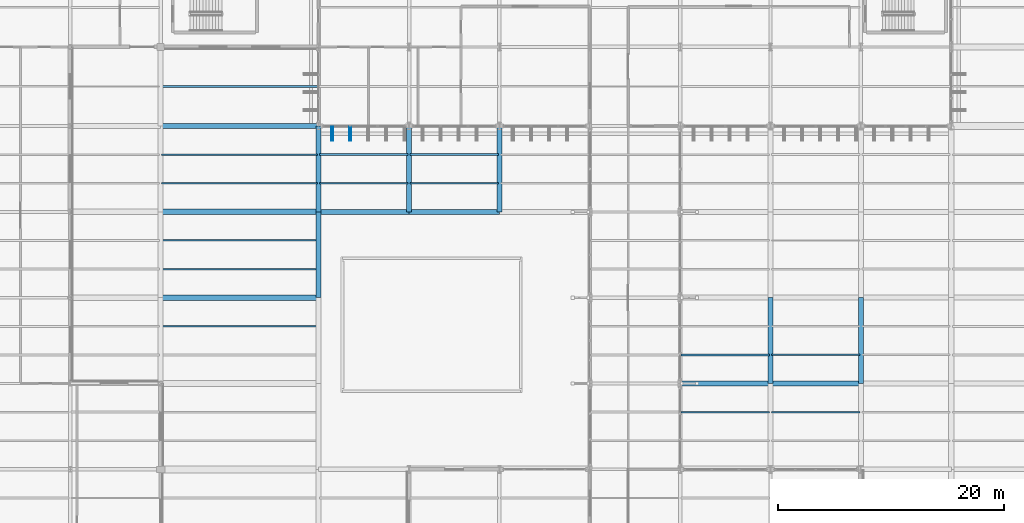
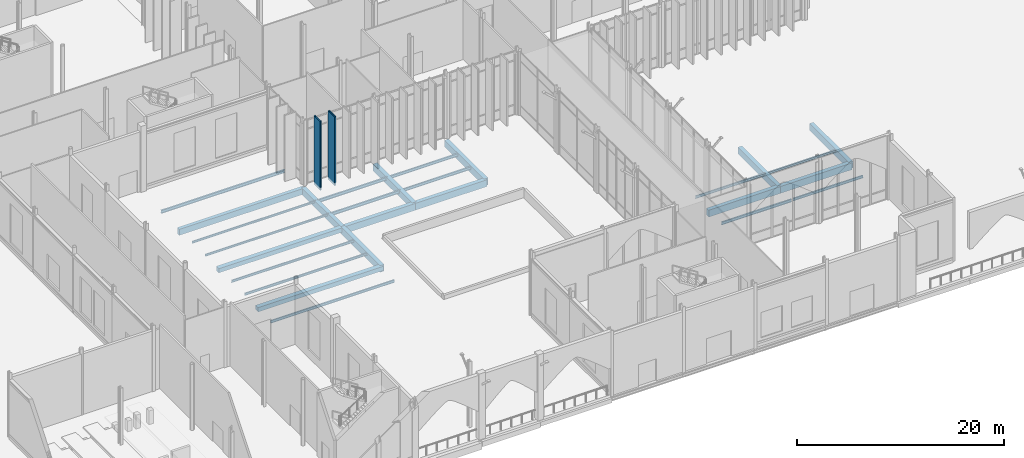
# One storey, part 38 of 176: 27 beams, 2 members.
"""IFC4 building model written with IfcOpenShell, lengths in metres."""

from ifc_helpers import new_model, si_unit, direction, frame, origin, origin_2d, place, context, subcontext, project, spatial, rectangle, hollow_rectangle, i_section, extrude, material, material_profile, profile_set, type_object, element, save


model = new_model("IFC4")

# Units and contexts
model_context = context("Model", 3, precision=1e-05, world=origin(), true_north=direction((0.0, 1.0)))
body_context = subcontext(model_context, "Body", "Model", "MODEL_VIEW")
ifc_project = project(units=[si_unit("LENGTHUNIT", "METRE"), si_unit("AREAUNIT", "SQUARE_METRE"), si_unit("VOLUMEUNIT", "CUBIC_METRE"), si_unit("PLANEANGLEUNIT", "RADIAN"), si_unit("MASSUNIT", "GRAM", prefix="KILO")], contexts=[model_context])

# Site, building, storey
site_placement = place(None, origin())
site = spatial("IfcSite", under=ifc_project, at=site_placement, CompositionType="ELEMENT")
building_placement = place(site_placement, origin())
building = spatial("IfcBuilding", under=site, at=building_placement, Name="Vekula Escarpment Museum", CompositionType="ELEMENT")
storey_placement = place(building_placement, origin())
storey = spatial("IfcBuildingStorey", under=building, at=storey_placement, Name="L01", CompositionType="ELEMENT", Elevation=0.0)

# Beams
ifc_material_1 = material(Name="Steel S355", Category="steel")
ifc_material_profile_1 = material_profile(ifc_material_1, i_section(OverallWidth=0.1201171875, OverallDepth=0.239990234375, WebThickness=0.006103515625, FlangeThickness=0.009765625, FilletRadius=0.014892578125, at=origin_2d()), Name="IPE 240")
ifc_profile_set_1 = profile_set([ifc_material_profile_1], Name="Steel S355")
beam_type_1 = type_object("IfcBeamType", Name="BM-JST-IPE240", PredefinedType="JOIST", material=ifc_profile_set_1)
for number, where, z_axis, x_axis, name in (
    (1, (56.090087890625, 40.533203125, -0.419921875), (1.0, 0.0, 0.0), (0.0, 1.0, 0.0), "Secondary Joist L01 0211"),
    (2, (56.090087890625, 43.066650390625, -0.419921875), (1.0, 0.0, 0.0), (0.0, 1.0, 0.0), "Secondary Joist L01 0212"),
):
    element("IfcBeam", number, at=place(storey_placement, frame(where, z_axis=z_axis, x_axis=x_axis)), inside=storey, type_object=beam_type_1, Name=name, PredefinedType="JOIST", context=body_context, shape_type="SweptSolid", body=[
        extrude(i_section(OverallWidth=0.1201171875, OverallDepth=0.239990234375, WebThickness=0.006103515625, FlangeThickness=0.009765625, FilletRadius=0.014892578125, at=origin_2d()), origin(), (0.0, 0.0, 1.0), 13.81982421875),
    ])
ifc_material_2 = material(Name="Steel S355", Category="steel")
ifc_material_profile_2 = material_profile(ifc_material_2, i_section(OverallWidth=0.135009765625, OverallDepth=0.27001953125, WebThickness=0.006591796875, FlangeThickness=0.01025390625, FilletRadius=0.014892578125, at=origin_2d()), Name="IPE 270")
ifc_profile_set_2 = profile_set([ifc_material_profile_2], Name="Steel S355")
beam_type_2 = type_object("IfcBeamType", Name="BM-JST-IPE270", PredefinedType="JOIST", material=ifc_profile_set_2)
for number, where, z_axis, x_axis, name in (
    (3, (56.090087890625, 32.933349609375, -0.43505859375), (1.0, 0.0, 0.0), (0.0, 1.0, 0.0), "Secondary Joist L01 0209"),
    (4, (56.090087890625, 35.466796875, -0.43505859375), (1.0, 0.0, 0.0), (0.0, 1.0, 0.0), "Secondary Joist L01 0210"),
):
    element("IfcBeam", number, at=place(storey_placement, frame(where, z_axis=z_axis, x_axis=x_axis)), inside=storey, type_object=beam_type_2, Name=name, PredefinedType="JOIST", context=body_context, shape_type="SweptSolid", body=[
        extrude(i_section(OverallWidth=0.135009765625, OverallDepth=0.27001953125, WebThickness=0.006591796875, FlangeThickness=0.01025390625, FilletRadius=0.014892578125, at=origin_2d()), origin(), (0.0, 0.0, 1.0), 13.81982421875),
    ])
beam_1_placement = place(storey_placement, frame((110.090087890625, 25.333251953125, -0.43505859375), z_axis=(1.0, 0.0, 0.0), x_axis=(0.0, 1.0, 0.0)))
element("IfcBeam", 5, at=beam_1_placement, inside=storey, type_object=beam_type_2, Name="Secondary Joist L01 0357", PredefinedType="JOIST", context=body_context, shape_type="SweptSolid", body=[
    extrude(i_section(OverallWidth=0.135009765625, OverallDepth=0.27001953125, WebThickness=0.006591796875, FlangeThickness=0.01025390625, FilletRadius=0.014892578125, at=origin_2d()), origin(), (0.0, 0.0, 1.0), 7.81982421875),
])
ifc_material_3 = material(Name="Steel S355", Category="steel")
ifc_material_profile_3 = material_profile(ifc_material_3, i_section(OverallWidth=0.14990234375, OverallDepth=0.300048828125, WebThickness=0.007080078125, FlangeThickness=0.0107421875, FilletRadius=0.014892578125, at=origin_2d()), Name="IPE 300")
ifc_profile_set_3 = profile_set([ifc_material_profile_3], Name="Steel S355")
beam_type_3 = type_object("IfcBeamType", Name="BM-JST-IPE300", PredefinedType="JOIST", material=ifc_profile_set_3)
beam_2_placement = place(storey_placement, frame((56.090087890625, 27.86669921875, -0.60009765625), z_axis=(1.0, 0.0, 0.0), x_axis=(0.0, 1.0, 0.0)))
element("IfcBeam", 6, at=beam_2_placement, inside=storey, type_object=beam_type_3, Name="Secondary Joist L01 0208", PredefinedType="JOIST", context=body_context, shape_type="SweptSolid", body=[
    extrude(i_section(OverallWidth=0.14990234375, OverallDepth=0.300048828125, WebThickness=0.007080078125, FlangeThickness=0.0107421875, FilletRadius=0.014892578125, at=origin_2d()), origin(), (0.0, 0.0, 1.0), 13.81982421875),
])
for number, where, z_axis, x_axis, name in (
    (7, (102.090087890625, 25.333251953125, -0.449951171875), (1.0, 0.0, 0.0), (0.0, 1.0, 0.0), "Secondary Joist L01 0326"),
    (8, (110.090087890625, 20.2666015625, -0.449951171875), (1.0, 0.0, 0.0), (0.0, 1.0, 0.0), "Secondary Joist L01 0356"),
):
    element("IfcBeam", number, at=place(storey_placement, frame(where, z_axis=z_axis, x_axis=x_axis)), inside=storey, type_object=beam_type_3, Name=name, PredefinedType="JOIST", context=body_context, shape_type="SweptSolid", body=[
        extrude(i_section(OverallWidth=0.14990234375, OverallDepth=0.300048828125, WebThickness=0.007080078125, FlangeThickness=0.0107421875, FilletRadius=0.014892578125, at=origin_2d()), origin(), (0.0, 0.0, 1.0), 7.81982421875),
    ])
ifc_material_4 = material(Name="Steel S355", Category="steel")
ifc_material_profile_4 = material_profile(ifc_material_4, i_section(OverallWidth=0.159912109375, OverallDepth=0.330078125, WebThickness=0.007568359375, FlangeThickness=0.011474609375, FilletRadius=0.01806640625, at=origin_2d()), Name="IPE 330")
ifc_profile_set_4 = profile_set([ifc_material_profile_4], Name="Steel S355")
beam_type_4 = type_object("IfcBeamType", Name="BM-JST-IPE330", PredefinedType="JOIST", material=ifc_profile_set_4)
for number, where, z_axis, x_axis, name in (
    (9, (78.090087890625, 40.533203125, -0.465087890625), (1.0, 0.0, 0.0), (0.0, 1.0, 0.0), "Secondary Joist L01 0255"),
    (10, (78.090087890625, 43.066650390625, -0.465087890625), (1.0, 0.0, 0.0), (0.0, 1.0, 0.0), "Secondary Joist L01 0256"),
    (11, (102.090087890625, 20.2666015625, -0.465087890625), (1.0, 0.0, 0.0), (0.0, 1.0, 0.0), "Secondary Joist L01 0325"),
):
    element("IfcBeam", number, at=place(storey_placement, frame(where, z_axis=z_axis, x_axis=x_axis)), inside=storey, type_object=beam_type_4, Name=name, PredefinedType="JOIST", context=body_context, shape_type="SweptSolid", body=[
        extrude(i_section(OverallWidth=0.159912109375, OverallDepth=0.330078125, WebThickness=0.007568359375, FlangeThickness=0.011474609375, FilletRadius=0.01806640625, at=origin_2d()), origin(), (0.0, 0.0, 1.0), 7.81982421875),
    ])
ifc_material_5 = material(Name="Steel S355", Category="steel")
ifc_material_profile_5 = material_profile(ifc_material_5, i_section(OverallWidth=0.169921875, OverallDepth=0.360107421875, WebThickness=0.008056640625, FlangeThickness=0.0126953125, FilletRadius=0.01806640625, at=origin_2d()), Name="IPE 360")
ifc_profile_set_5 = profile_set([ifc_material_profile_5], Name="Steel S355")
beam_type_5 = type_object("IfcBeamType", Name="BM-JST-IPE360", PredefinedType="JOIST", material=ifc_profile_set_5)
beam_3_placement = place(storey_placement, frame((56.090087890625, 49.10009765625, -0.47998046875), z_axis=(1.0, 0.0, 0.0), x_axis=(0.0, 1.0, 0.0)))
element("IfcBeam", 12, at=beam_3_placement, inside=storey, type_object=beam_type_5, Name="Secondary Joist L01 0213", PredefinedType="JOIST", context=body_context, shape_type="SweptSolid", body=[
    extrude(i_section(OverallWidth=0.169921875, OverallDepth=0.360107421875, WebThickness=0.008056640625, FlangeThickness=0.0126953125, FilletRadius=0.01806640625, at=origin_2d()), origin(), (0.0, 0.0, 1.0), 13.81982421875),
])
for number, where, z_axis, x_axis, name in (
    (13, (70.090087890625, 40.533203125, -0.47998046875), (1.0, 0.0, 0.0), (0.0, 1.0, 0.0), "Secondary Joist L01 0236"),
    (14, (70.090087890625, 43.066650390625, -0.47998046875), (1.0, 0.0, 0.0), (0.0, 1.0, 0.0), "Secondary Joist L01 0237"),
):
    element("IfcBeam", number, at=place(storey_placement, frame(where, z_axis=z_axis, x_axis=x_axis)), inside=storey, type_object=beam_type_5, Name=name, PredefinedType="JOIST", context=body_context, shape_type="SweptSolid", body=[
        extrude(i_section(OverallWidth=0.169921875, OverallDepth=0.360107421875, WebThickness=0.008056640625, FlangeThickness=0.0126953125, FilletRadius=0.01806640625, at=origin_2d()), origin(), (0.0, 0.0, 1.0), 7.81982421875),
    ])
ifc_material_6 = material(Name="Concrete C35/45", Category="concrete")
ifc_material_profile_6 = material_profile(ifc_material_6, rectangle(XDim=0.449951171875, YDim=0.800048828125, at=origin_2d()), Name="RC 450x800")
ifc_profile_set_6 = profile_set([ifc_material_profile_6], Name="Concrete C35/45")
beam_type_6 = type_object("IfcBeamType", Name="BM-PLINTH-RC", PredefinedType="BEAM", material=ifc_profile_set_6)
for number, where, z_axis, x_axis, name in (
    (15, (102.0, 22.800048828125, -0.699951171875), (1.0, 0.0, 0.0), (0.0, 1.0, 0.0), "Beam X L01 0075"),
    (16, (110.0, 22.800048828125, -0.699951171875), (1.0, 0.0, 0.0), (0.0, 1.0, 0.0), "Beam X L01 0076"),
    (17, (70.0, 38.0, -0.699951171875), (1.0, 0.0, 0.0), (0.0, 1.0, 0.0), "Beam X L01 0106"),
    (18, (78.0, 38.0, -0.699951171875), (1.0, 0.0, 0.0), (0.0, 1.0, 0.0), "Beam X L01 0107"),
):
    element("IfcBeam", number, at=place(storey_placement, frame(where, z_axis=z_axis, x_axis=x_axis)), inside=storey, type_object=beam_type_6, Name=name, PredefinedType="BEAM", context=body_context, shape_type="SweptSolid", body=[
        extrude(rectangle(XDim=0.449951171875, YDim=0.800048828125, at=origin_2d()), origin(), (0.0, 0.0, 1.0), 8.0),
    ])
for number, where, z_axis, x_axis, name in (
    (19, (70.0, 30.39990234375, -0.699951171875), (0.0, 1.0, 0.0), (-1.0, 0.0, 0.0), "Beam Y L01 0538"),
    (20, (70.0, 38.0, -0.699951171875), (0.0, 1.0, 0.0), (-1.0, 0.0, 0.0), "Beam Y L01 0539"),
    (21, (78.0, 38.0, -0.699951171875), (0.0, 1.0, 0.0), (-1.0, 0.0, 0.0), "Beam Y L01 0554"),
    (22, (86.0, 38.0, -0.699951171875), (0.0, 1.0, 0.0), (-1.0, 0.0, 0.0), "Beam Y L01 0566"),
):
    element("IfcBeam", number, at=place(storey_placement, frame(where, z_axis=z_axis, x_axis=x_axis)), inside=storey, type_object=beam_type_6, Name=name, PredefinedType="BEAM", context=body_context, shape_type="SweptSolid", body=[
        extrude(rectangle(XDim=0.449951171875, YDim=0.800048828125, at=origin_2d()), origin(), (0.0, 0.0, 1.0), 7.60009765625),
    ])
for number, where, z_axis, x_axis, name in (
    (23, (110.0, 22.800048828125, -0.699951171875), (0.0, 1.0, 0.0), (-1.0, 0.0, 0.0), "Beam Y L01 0615"),
    (24, (118.0, 22.800048828125, -0.699951171875), (0.0, 1.0, 0.0), (-1.0, 0.0, 0.0), "Beam Y L01 0633"),
):
    element("IfcBeam", number, at=place(storey_placement, frame(where, z_axis=z_axis, x_axis=x_axis)), inside=storey, type_object=beam_type_6, Name=name, PredefinedType="BEAM", context=body_context, shape_type="SweptSolid", body=[
        extrude(rectangle(XDim=0.449951171875, YDim=0.800048828125, at=origin_2d()), origin(), (0.0, 0.0, 1.0), 7.599853515625),
    ])
ifc_material_7 = material(Name="Concrete C35/45", Category="concrete")
ifc_material_profile_7 = material_profile(ifc_material_7, rectangle(XDim=0.39990234375, YDim=0.699951171875, at=origin_2d()), Name="RC 400x700")
ifc_profile_set_7 = profile_set([ifc_material_profile_7], Name="Concrete C35/45")
beam_type_7 = type_object("IfcBeamType", Name="BM-PLINTH-RC2", PredefinedType="BEAM", material=ifc_profile_set_7)
beam_4_placement = place(storey_placement, frame((56.0, 45.60009765625, -0.64990234375), z_axis=(1.0, 0.0, 0.0), x_axis=(0.0, 1.0, 0.0)))
element("IfcBeam", 25, at=beam_4_placement, inside=storey, type_object=beam_type_7, Name="Beam X L01 0124", PredefinedType="BEAM", context=body_context, shape_type="SweptSolid", body=[
    extrude(rectangle(XDim=0.39990234375, YDim=0.699951171875, at=origin_2d()), origin(), (0.0, 0.0, 1.0), 14.0),
])
ifc_material_8 = material(Name="Concrete C35/45", Category="concrete")
ifc_material_profile_8 = material_profile(ifc_material_8, rectangle(XDim=0.5, YDim=0.5, at=origin_2d()), Name="RC 500x500")
ifc_profile_set_8 = profile_set([ifc_material_profile_8], Name="Concrete C35/45")
beam_type_8 = type_object("IfcBeamType", Name="BM-PLINTH-RC3", PredefinedType="BEAM", material=ifc_profile_set_8)
for number, where, z_axis, x_axis, name in (
    (26, (56.0, 30.39990234375, -0.550048828125), (1.0, 0.0, 0.0), (0.0, 1.0, 0.0), "Beam X L01 0089"),
    (27, (56.0, 38.0, -0.550048828125), (1.0, 0.0, 0.0), (0.0, 1.0, 0.0), "Beam X L01 0105"),
):
    element("IfcBeam", number, at=place(storey_placement, frame(where, z_axis=z_axis, x_axis=x_axis)), inside=storey, type_object=beam_type_8, Name=name, PredefinedType="BEAM", context=body_context, shape_type="SweptSolid", body=[
        extrude(rectangle(XDim=0.5, YDim=0.5, at=origin_2d()), origin(), (0.0, 0.0, 1.0), 14.0),
    ])

# Members
ifc_material_9 = material(Name="Steel S355 weathered bronze solar fin", Category="steel")
ifc_material_profile_9 = material_profile(ifc_material_9, hollow_rectangle(XDim=0.179931640625, YDim=1.25, WallThickness=0.010009765625, InnerFilletRadius=0.010009765625, OuterFilletRadius=0.02001953125, at=origin_2d()), Name="RHS 1250x180x10")
ifc_profile_set_9 = profile_set([ifc_material_profile_9], Name="Steel S355 weathered bronze solar fin")
member_type = type_object("IfcMemberType", Name="MB-SOLAR-FIN", PredefinedType="USERDEFINED", material=ifc_profile_set_9)
for number, where, z_axis, x_axis, name in (
    (28, (71.199951171875, 44.919921875, -0.320068359375), (0.0, 0.0, 1.0), (1.0, 0.0, 0.0), "Great Hall Vertical Solar Fin 0001"),
    (29, (72.800048828125, 44.919921875, -0.320068359375), (0.0, 0.0, 1.0), (1.0, 0.0, 0.0), "Great Hall Vertical Solar Fin 0006"),
):
    element("IfcMember", number, at=place(storey_placement, frame(where, z_axis=z_axis, x_axis=x_axis)), inside=storey, type_object=member_type, Name=name, ObjectType="SOLAR FIN", PredefinedType="USERDEFINED", context=body_context, shape_type="SweptSolid", body=[
        extrude(hollow_rectangle(XDim=0.179931640625, YDim=1.25, WallThickness=0.010009765625, InnerFilletRadius=0.010009765625, OuterFilletRadius=0.02001953125, at=origin_2d()), origin(), (0.0, 0.0, 1.0), 8.1201171875),
    ])

save(model, "model.ifc")
